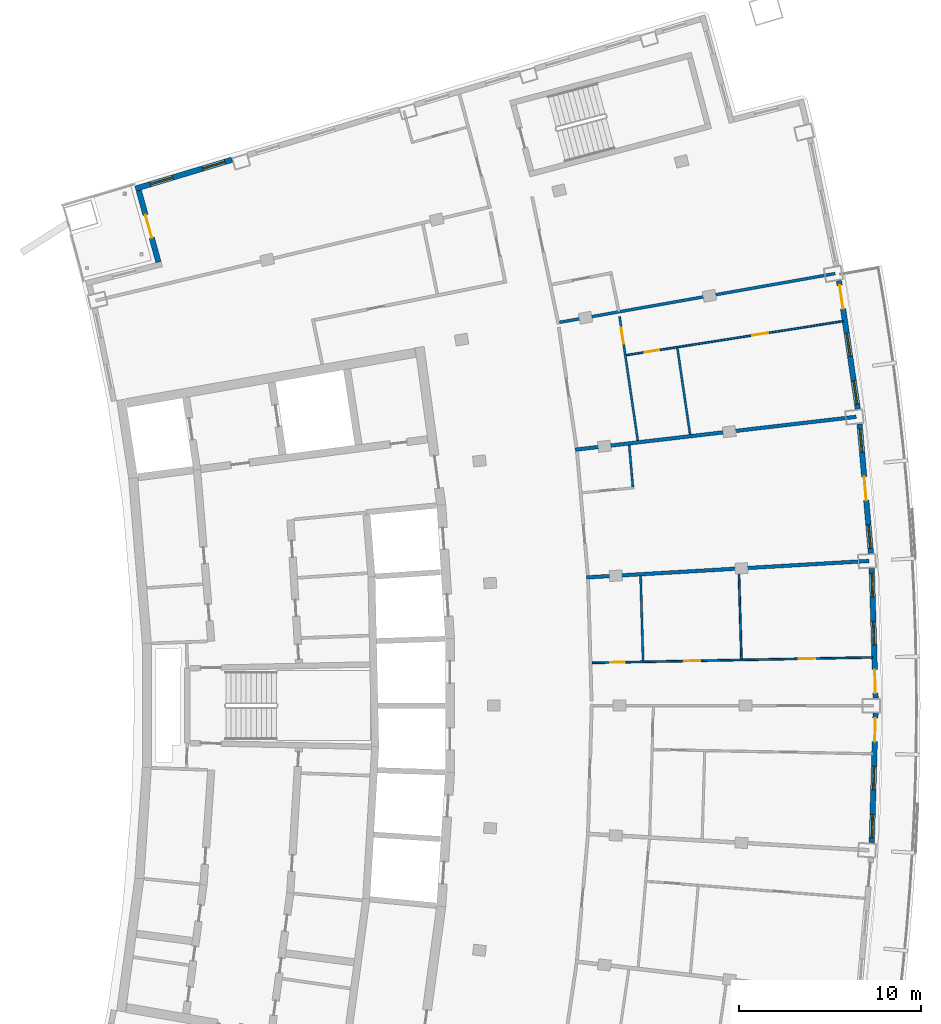
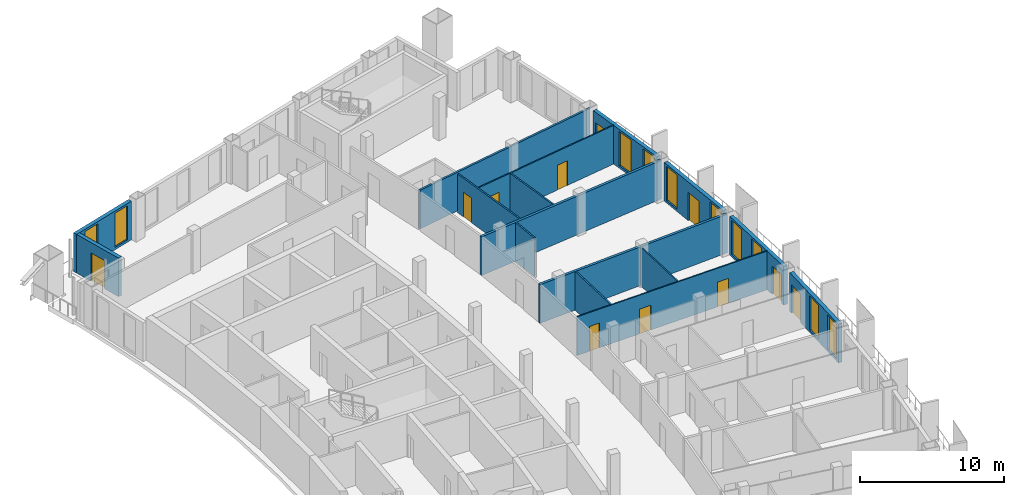
# One storey, part 12 of 17: 16 walls, 11 doors, 10 windows, 21 openings.
"""IFC4 building model written with IfcOpenShell, lengths in metres."""

from ifc_helpers import new_model, si_unit, direction, frame, frame_2d, origin, place, context, subcontext, project, spatial, rectangle, extrude, material, layer, layer_set, type_object, element, fill, save


model = new_model("IFC4")

# Units and contexts
model_context = context("Model", 3, precision=1e-05, world=origin(), true_north=direction((0.0, 1.0)))
body_context = subcontext(model_context, "Body", "Model", "MODEL_VIEW")
ifc_project = project(units=[si_unit("LENGTHUNIT", "METRE"), si_unit("AREAUNIT", "SQUARE_METRE"), si_unit("VOLUMEUNIT", "CUBIC_METRE"), si_unit("PLANEANGLEUNIT", "RADIAN"), si_unit("MASSUNIT", "GRAM", prefix="KILO")], contexts=[model_context])

# Site, building, storey
site_placement = place(None, origin())
site = spatial("IfcSite", under=ifc_project, at=site_placement, CompositionType="ELEMENT")
building_placement = place(site_placement, origin())
building = spatial("IfcBuilding", under=site, at=building_placement, Name="Alderwake Tower", CompositionType="ELEMENT")
storey_placement = place(building_placement, frame((0.0, 0.0, 260.0)))
storey = spatial("IfcBuildingStorey", under=building, at=storey_placement, Name="L64", CompositionType="ELEMENT", Elevation=260.0)

# Wall
ifc_material_1 = material(Name="Gypsum board on metal studs, rated")
ifc_layer_1 = layer(ifc_material_1, 0.159912109375)
ifc_layer_set_1 = layer_set([ifc_layer_1], Name="Corridor wall 160")
wall_type_1 = type_object("IfcWallType", Name="Corridor wall 160", PredefinedType="PARTITIONING", material=ifc_layer_set_1)
wall_1_placement = place(storey_placement, frame((54.612060546875, 84.801025390625, 0.0), z_axis=(0.0, 0.0, 1.0), x_axis=(-0.984713831022, -0.174179995963, 0.0)))
element("IfcWall", 1, at=wall_1_placement, inside=storey, type_object=wall_type_1, Name="WL/L64/W27", PredefinedType="PARTITIONING", context=body_context, shape_type="SweptSolid", body=[
    extrude(rectangle(XDim=15.421142578125, YDim=0.159912109375, at=frame_2d((7.71044921875, 0.0))), origin(), (0.0, 0.0, 1.0), 3.280029296875),
])

# Wall, openings, door, windows
ifc_material_2 = material(Name="Precast concrete C50/60 spandrel panel", Category="concrete")
ifc_layer_2 = layer(ifc_material_2, 0.300048828125)
ifc_layer_set_2 = layer_set([ifc_layer_2], Name="External wall EW1 Precast concrete C50/60 spandrel")
wall_type_2 = type_object("IfcWallType", Name="External wall EW1 Precast concrete C50/60 spandrel", PredefinedType="SOLIDWALL", material=ifc_layer_set_2)
wall_2_placement = place(storey_placement, frame((56.62939453125, 53.443115234375, 0.0), z_axis=(0.0, 0.0, 1.0), x_axis=(0.029172920449, 0.99957437978, 0.0)))
wall_2 = element("IfcWall", 2, at=wall_2_placement, inside=storey, type_object=wall_type_2, Name="External wall 15", PredefinedType="SOLIDWALL", context=body_context, shape_type="SweptSolid", body=[
    extrude(rectangle(XDim=7.138427734375, YDim=0.300048828125, at=frame_2d((3.5693359375, 0.0))), origin(), (0.0, 0.0, 1.0), 3.280029296875),
])
opening_1_placement = place(wall_2_placement, frame((0.263427734375, 0.0, 0.199951171875)))
opening_1 = element("IfcOpeningElement", 3, at=opening_1_placement, cuts=wall_2, Name="Opening W1", PredefinedType="OPENING", context=body_context, shape_type="SweptSolid", body=[
    extrude(rectangle(XDim=1.300048828125, YDim=2.89990234375, at=frame_2d((0.64990234375, 1.449951171875))), frame((0.0, 0.159912109375, 0.0), z_axis=(0.0, -1.0, 0.0), x_axis=(1.0, 0.0, 0.0)), (0.0, 0.0, 1.0), 0.320068359375),
])
opening_2_placement = place(wall_2_placement, frame((2.919189453125, 0.0, 0.199951171875)))
opening_2 = element("IfcOpeningElement", 4, at=opening_2_placement, cuts=wall_2, Name="Opening W1", PredefinedType="OPENING", context=body_context, shape_type="SweptSolid", body=[
    extrude(rectangle(XDim=1.300048828125, YDim=2.89990234375, at=frame_2d((0.64990234375, 1.449951171875))), frame((0.0, 0.159912109375, 0.0), z_axis=(0.0, -1.0, 0.0), x_axis=(1.0, 0.0, 0.0)), (0.0, 0.0, 1.0), 0.320068359375),
])
opening_3_placement = place(wall_2_placement, frame((5.574951171875, 0.0, 0.0)))
opening_3 = element("IfcOpeningElement", 5, at=opening_3_placement, cuts=wall_2, Name="Opening D05", PredefinedType="OPENING", context=body_context, shape_type="SweptSolid", body=[
    extrude(rectangle(XDim=1.300048828125, YDim=2.39990234375, at=frame_2d((0.64990234375, 1.199951171875))), frame((0.0, 0.159912109375, 0.0), z_axis=(0.0, -1.0, 0.0), x_axis=(1.0, 0.0, 0.0)), (0.0, 0.0, 1.0), 0.320068359375),
])
ifc_material_3 = material(Name="Bronze tinted glass in aluminium frame", Category="aluminium")
door_type_1 = type_object("IfcDoorType", Name="Balcony door BD sliding", OperationType="SLIDING_TO_LEFT", PredefinedType="DOOR", material=ifc_material_3)
door_1_placement = place(opening_3_placement, origin())
door_1 = element("IfcDoor", 6, at=door_1_placement, inside=storey, type_object=door_type_1, Name="Door D05", OperationType="SLIDING_TO_LEFT", OverallHeight=2.39990234375, OverallWidth=1.300048828125, PredefinedType="DOOR", context=body_context, shape_type="SweptSolid", body=[
    extrude(rectangle(XDim=1.300048828125, YDim=2.39990234375, at=frame_2d((0.64990234375, 1.199951171875))), frame((0.0, 0.02490234375, 0.0), z_axis=(0.0, -1.0, 0.0), x_axis=(1.0, 0.0, 0.0)), (0.0, 0.0, 1.0), 0.050048828125),
])
fill(opening_3, door_1)
ifc_material_4 = material(Name="Bronze tinted glass in aluminium frame", Category="aluminium")
window_type = type_object("IfcWindowType", Name="Window W1 tall fixed and vent", PartitioningType="DOUBLE_PANEL_VERTICAL", PredefinedType="WINDOW", material=ifc_material_4)
window_1_placement = place(opening_1_placement, origin())
window_1 = element("IfcWindow", 7, at=window_1_placement, inside=storey, type_object=window_type, Name="Window W1 tall fixed and vent", OverallHeight=2.89990234375, OverallWidth=1.300048828125, PartitioningType="DOUBLE_PANEL_VERTICAL", PredefinedType="WINDOW", context=body_context, shape_type="SweptSolid", body=[
    extrude(rectangle(XDim=1.300048828125, YDim=2.89990234375, at=frame_2d((0.64990234375, 1.449951171875))), frame((0.0, 0.030029296875, 0.0), z_axis=(0.0, -1.0, 0.0), x_axis=(1.0, 0.0, 0.0)), (0.0, 0.0, 1.0), 0.06005859375),
])
fill(opening_1, window_1)
window_2_placement = place(opening_2_placement, origin())
window_2 = element("IfcWindow", 8, at=window_2_placement, inside=storey, type_object=window_type, Name="Window W1 tall fixed and vent", OverallHeight=2.89990234375, OverallWidth=1.300048828125, PartitioningType="DOUBLE_PANEL_VERTICAL", PredefinedType="WINDOW", context=body_context, shape_type="SweptSolid", body=[
    extrude(rectangle(XDim=1.300048828125, YDim=2.89990234375, at=frame_2d((0.64990234375, 1.449951171875))), frame((0.0, 0.030029296875, 0.0), z_axis=(0.0, -1.0, 0.0), x_axis=(1.0, 0.0, 0.0)), (0.0, 0.0, 1.0), 0.06005859375),
])
fill(opening_2, window_2)

wall_3_placement = place(storey_placement, frame((56.837646484375, 61.42138671875, 0.0), z_axis=(0.0, 0.0, 1.0), x_axis=(-0.029172920449, 0.99957437978, 0.0)))
wall_3 = element("IfcWall", 9, at=wall_3_placement, inside=storey, type_object=wall_type_2, Name="External wall 16", PredefinedType="SOLIDWALL", context=body_context, shape_type="SweptSolid", body=[
    extrude(rectangle(XDim=7.138427734375, YDim=0.300048828125, at=frame_2d((3.5693359375, 0.0))), origin(), (0.0, 0.0, 1.0), 3.280029296875),
])
opening_4_placement = place(wall_3_placement, frame((0.263427734375, 0.0, 0.0)))
opening_4 = element("IfcOpeningElement", 10, at=opening_4_placement, cuts=wall_3, Name="Opening D06", PredefinedType="OPENING", context=body_context, shape_type="SweptSolid", body=[
    extrude(rectangle(XDim=1.300048828125, YDim=2.39990234375, at=frame_2d((0.64990234375, 1.199951171875))), frame((0.0, 0.159912109375, 0.0), z_axis=(0.0, -1.0, 0.0), x_axis=(1.0, 0.0, 0.0)), (0.0, 0.0, 1.0), 0.320068359375),
])
opening_5_placement = place(wall_3_placement, frame((2.919189453125, 0.0, 0.199951171875)))
opening_5 = element("IfcOpeningElement", 11, at=opening_5_placement, cuts=wall_3, Name="Opening W1", PredefinedType="OPENING", context=body_context, shape_type="SweptSolid", body=[
    extrude(rectangle(XDim=1.300048828125, YDim=2.89990234375, at=frame_2d((0.64990234375, 1.449951171875))), frame((0.0, 0.159912109375, 0.0), z_axis=(0.0, -1.0, 0.0), x_axis=(1.0, 0.0, 0.0)), (0.0, 0.0, 1.0), 0.320068359375),
])
opening_6_placement = place(wall_3_placement, frame((5.574951171875, 0.0, 0.199951171875)))
opening_6 = element("IfcOpeningElement", 12, at=opening_6_placement, cuts=wall_3, Name="Opening W1", PredefinedType="OPENING", context=body_context, shape_type="SweptSolid", body=[
    extrude(rectangle(XDim=1.300048828125, YDim=2.89990234375, at=frame_2d((0.64990234375, 1.449951171875))), frame((0.0, 0.159912109375, 0.0), z_axis=(0.0, -1.0, 0.0), x_axis=(1.0, 0.0, 0.0)), (0.0, 0.0, 1.0), 0.320068359375),
])
door_2_placement = place(opening_4_placement, origin())
door_2 = element("IfcDoor", 13, at=door_2_placement, inside=storey, type_object=door_type_1, Name="Door D06", OperationType="SLIDING_TO_LEFT", OverallHeight=2.39990234375, OverallWidth=1.300048828125, PredefinedType="DOOR", context=body_context, shape_type="SweptSolid", body=[
    extrude(rectangle(XDim=1.300048828125, YDim=2.39990234375, at=frame_2d((0.64990234375, 1.199951171875))), frame((0.0, 0.02490234375, 0.0), z_axis=(0.0, -1.0, 0.0), x_axis=(1.0, 0.0, 0.0)), (0.0, 0.0, 1.0), 0.050048828125),
])
fill(opening_4, door_2)
window_3_placement = place(opening_5_placement, origin())
window_3 = element("IfcWindow", 14, at=window_3_placement, inside=storey, type_object=window_type, Name="Window W1 tall fixed and vent", OverallHeight=2.89990234375, OverallWidth=1.300048828125, PartitioningType="DOUBLE_PANEL_VERTICAL", PredefinedType="WINDOW", context=body_context, shape_type="SweptSolid", body=[
    extrude(rectangle(XDim=1.300048828125, YDim=2.89990234375, at=frame_2d((0.64990234375, 1.449951171875))), frame((0.0, 0.030029296875, 0.0), z_axis=(0.0, -1.0, 0.0), x_axis=(1.0, 0.0, 0.0)), (0.0, 0.0, 1.0), 0.06005859375),
])
fill(opening_5, window_3)
window_4_placement = place(opening_6_placement, origin())
window_4 = element("IfcWindow", 15, at=window_4_placement, inside=storey, type_object=window_type, Name="Window W1 tall fixed and vent", OverallHeight=2.89990234375, OverallWidth=1.300048828125, PartitioningType="DOUBLE_PANEL_VERTICAL", PredefinedType="WINDOW", context=body_context, shape_type="SweptSolid", body=[
    extrude(rectangle(XDim=1.300048828125, YDim=2.89990234375, at=frame_2d((0.64990234375, 1.449951171875))), frame((0.0, 0.030029296875, 0.0), z_axis=(0.0, -1.0, 0.0), x_axis=(1.0, 0.0, 0.0)), (0.0, 0.0, 1.0), 0.06005859375),
])
fill(opening_6, window_4)

wall_4_placement = place(storey_placement, frame((56.580322265625, 69.3984375, 0.0), z_axis=(0.0, 0.0, 1.0), x_axis=(-0.087383747715, 0.996174723949, 0.0)))
wall_4 = element("IfcWall", 16, at=wall_4_placement, inside=storey, type_object=wall_type_2, Name="External wall 17", PredefinedType="SOLIDWALL", context=body_context, shape_type="SweptSolid", body=[
    extrude(rectangle(XDim=7.138427734375, YDim=0.300048828125, at=frame_2d((3.5693359375, 0.0))), origin(), (0.0, 0.0, 1.0), 3.280029296875),
])
opening_7_placement = place(wall_4_placement, frame((0.263427734375, 0.0, 0.199951171875)))
opening_7 = element("IfcOpeningElement", 17, at=opening_7_placement, cuts=wall_4, Name="Opening W1", PredefinedType="OPENING", context=body_context, shape_type="SweptSolid", body=[
    extrude(rectangle(XDim=1.300048828125, YDim=2.89990234375, at=frame_2d((0.64990234375, 1.449951171875))), frame((0.0, 0.159912109375, 0.0), z_axis=(0.0, -1.0, 0.0), x_axis=(1.0, 0.0, 0.0)), (0.0, 0.0, 1.0), 0.320068359375),
])
opening_8_placement = place(wall_4_placement, frame((2.919189453125, 0.0, 0.0)))
opening_8 = element("IfcOpeningElement", 18, at=opening_8_placement, cuts=wall_4, Name="Opening D07", PredefinedType="OPENING", context=body_context, shape_type="SweptSolid", body=[
    extrude(rectangle(XDim=1.300048828125, YDim=2.39990234375, at=frame_2d((0.64990234375, 1.199951171875))), frame((0.0, 0.159912109375, 0.0), z_axis=(0.0, -1.0, 0.0), x_axis=(1.0, 0.0, 0.0)), (0.0, 0.0, 1.0), 0.320068359375),
])
opening_9_placement = place(wall_4_placement, frame((5.574951171875, 0.0, 0.199951171875)))
opening_9 = element("IfcOpeningElement", 19, at=opening_9_placement, cuts=wall_4, Name="Opening W1", PredefinedType="OPENING", context=body_context, shape_type="SweptSolid", body=[
    extrude(rectangle(XDim=1.300048828125, YDim=2.89990234375, at=frame_2d((0.64990234375, 1.449951171875))), frame((0.0, 0.159912109375, 0.0), z_axis=(0.0, -1.0, 0.0), x_axis=(1.0, 0.0, 0.0)), (0.0, 0.0, 1.0), 0.320068359375),
])
door_3_placement = place(opening_8_placement, origin())
door_3 = element("IfcDoor", 20, at=door_3_placement, inside=storey, type_object=door_type_1, Name="Door D07", OperationType="SLIDING_TO_LEFT", OverallHeight=2.39990234375, OverallWidth=1.300048828125, PredefinedType="DOOR", context=body_context, shape_type="SweptSolid", body=[
    extrude(rectangle(XDim=1.300048828125, YDim=2.39990234375, at=frame_2d((0.64990234375, 1.199951171875))), frame((0.0, 0.02490234375, 0.0), z_axis=(0.0, -1.0, 0.0), x_axis=(1.0, 0.0, 0.0)), (0.0, 0.0, 1.0), 0.050048828125),
])
fill(opening_8, door_3)
window_5_placement = place(opening_7_placement, origin())
window_5 = element("IfcWindow", 21, at=window_5_placement, inside=storey, type_object=window_type, Name="Window W1 tall fixed and vent", OverallHeight=2.89990234375, OverallWidth=1.300048828125, PartitioningType="DOUBLE_PANEL_VERTICAL", PredefinedType="WINDOW", context=body_context, shape_type="SweptSolid", body=[
    extrude(rectangle(XDim=1.300048828125, YDim=2.89990234375, at=frame_2d((0.64990234375, 1.449951171875))), frame((0.0, 0.030029296875, 0.0), z_axis=(0.0, -1.0, 0.0), x_axis=(1.0, 0.0, 0.0)), (0.0, 0.0, 1.0), 0.06005859375),
])
fill(opening_7, window_5)
window_6_placement = place(opening_9_placement, origin())
window_6 = element("IfcWindow", 22, at=window_6_placement, inside=storey, type_object=window_type, Name="Window W1 tall fixed and vent", OverallHeight=2.89990234375, OverallWidth=1.300048828125, PartitioningType="DOUBLE_PANEL_VERTICAL", PredefinedType="WINDOW", context=body_context, shape_type="SweptSolid", body=[
    extrude(rectangle(XDim=1.300048828125, YDim=2.89990234375, at=frame_2d((0.64990234375, 1.449951171875))), frame((0.0, 0.030029296875, 0.0), z_axis=(0.0, -1.0, 0.0), x_axis=(1.0, 0.0, 0.0)), (0.0, 0.0, 1.0), 0.06005859375),
])
fill(opening_9, window_6)

wall_5_placement = place(storey_placement, frame((55.8583984375, 77.3466796875, 0.0), z_axis=(0.0, 0.0, 1.0), x_axis=(-0.145317744338, 0.98938503788, 0.0)))
wall_5 = element("IfcWall", 23, at=wall_5_placement, inside=storey, type_object=wall_type_2, Name="External wall 18", PredefinedType="SOLIDWALL", context=body_context, shape_type="SweptSolid", body=[
    extrude(rectangle(XDim=7.138427734375, YDim=0.300048828125, at=frame_2d((3.5693359375, 0.0))), origin(), (0.0, 0.0, 1.0), 3.280029296875),
])
opening_10_placement = place(wall_5_placement, frame((0.263427734375, 0.0, 0.199951171875)))
opening_10 = element("IfcOpeningElement", 24, at=opening_10_placement, cuts=wall_5, Name="Opening W1", PredefinedType="OPENING", context=body_context, shape_type="SweptSolid", body=[
    extrude(rectangle(XDim=1.300048828125, YDim=2.89990234375, at=frame_2d((0.64990234375, 1.449951171875))), frame((0.0, 0.159912109375, 0.0), z_axis=(0.0, -1.0, 0.0), x_axis=(1.0, 0.0, 0.0)), (0.0, 0.0, 1.0), 0.320068359375),
])
opening_11_placement = place(wall_5_placement, frame((2.919189453125, 0.0, 0.199951171875)))
opening_11 = element("IfcOpeningElement", 25, at=opening_11_placement, cuts=wall_5, Name="Opening W1", PredefinedType="OPENING", context=body_context, shape_type="SweptSolid", body=[
    extrude(rectangle(XDim=1.300048828125, YDim=2.89990234375, at=frame_2d((0.64990234375, 1.449951171875))), frame((0.0, 0.159912109375, 0.0), z_axis=(0.0, -1.0, 0.0), x_axis=(1.0, 0.0, 0.0)), (0.0, 0.0, 1.0), 0.320068359375),
])
opening_12_placement = place(wall_5_placement, frame((5.574951171875, 0.0, 0.0)))
opening_12 = element("IfcOpeningElement", 26, at=opening_12_placement, cuts=wall_5, Name="Opening D08", PredefinedType="OPENING", context=body_context, shape_type="SweptSolid", body=[
    extrude(rectangle(XDim=1.300048828125, YDim=2.39990234375, at=frame_2d((0.64990234375, 1.199951171875))), frame((0.0, 0.159912109375, 0.0), z_axis=(0.0, -1.0, 0.0), x_axis=(1.0, 0.0, 0.0)), (0.0, 0.0, 1.0), 0.320068359375),
])
door_4_placement = place(opening_12_placement, origin())
door_4 = element("IfcDoor", 27, at=door_4_placement, inside=storey, type_object=door_type_1, Name="Door D08", OperationType="SLIDING_TO_LEFT", OverallHeight=2.39990234375, OverallWidth=1.300048828125, PredefinedType="DOOR", context=body_context, shape_type="SweptSolid", body=[
    extrude(rectangle(XDim=1.300048828125, YDim=2.39990234375, at=frame_2d((0.64990234375, 1.199951171875))), frame((0.0, 0.02490234375, 0.0), z_axis=(0.0, -1.0, 0.0), x_axis=(1.0, 0.0, 0.0)), (0.0, 0.0, 1.0), 0.050048828125),
])
fill(opening_12, door_4)
window_7_placement = place(opening_10_placement, origin())
window_7 = element("IfcWindow", 28, at=window_7_placement, inside=storey, type_object=window_type, Name="Window W1 tall fixed and vent", OverallHeight=2.89990234375, OverallWidth=1.300048828125, PartitioningType="DOUBLE_PANEL_VERTICAL", PredefinedType="WINDOW", context=body_context, shape_type="SweptSolid", body=[
    extrude(rectangle(XDim=1.300048828125, YDim=2.89990234375, at=frame_2d((0.64990234375, 1.449951171875))), frame((0.0, 0.030029296875, 0.0), z_axis=(0.0, -1.0, 0.0), x_axis=(1.0, 0.0, 0.0)), (0.0, 0.0, 1.0), 0.06005859375),
])
fill(opening_10, window_7)
window_8_placement = place(opening_11_placement, origin())
window_8 = element("IfcWindow", 29, at=window_8_placement, inside=storey, type_object=window_type, Name="Window W1 tall fixed and vent", OverallHeight=2.89990234375, OverallWidth=1.300048828125, PartitioningType="DOUBLE_PANEL_VERTICAL", PredefinedType="WINDOW", context=body_context, shape_type="SweptSolid", body=[
    extrude(rectangle(XDim=1.300048828125, YDim=2.89990234375, at=frame_2d((0.64990234375, 1.449951171875))), frame((0.0, 0.030029296875, 0.0), z_axis=(0.0, -1.0, 0.0), x_axis=(1.0, 0.0, 0.0)), (0.0, 0.0, 1.0), 0.06005859375),
])
fill(opening_11, window_8)

# Wall, openings, windows
ifc_material_5 = material(Name="Bronze metal cladding on lightweight framing")
ifc_layer_3 = layer(ifc_material_5, 0.300048828125)
ifc_layer_set_3 = layer_set([ifc_layer_3], Name="External wall EW2 bronze metal cladding")
wall_type_3 = type_object("IfcWallType", Name="External wall EW2 bronze metal cladding", PredefinedType="SOLIDWALL", material=ifc_layer_set_3)
wall_6_placement = place(storey_placement, frame((21.380859375, 91.072021484375, 0.0), z_axis=(0.0, 0.0, 1.0), x_axis=(-0.957769358194, -0.287537574074, 0.0)))
wall_6 = element("IfcWall", 30, at=wall_6_placement, inside=storey, type_object=wall_type_3, Name="External wall 27", PredefinedType="SOLIDWALL", context=body_context, shape_type="SweptSolid", body=[
    extrude(rectangle(XDim=5.549560546875, YDim=0.300048828125, at=frame_2d((2.77490234375, 0.0))), origin(), (0.0, 0.0, 1.0), 3.280029296875),
])
opening_13_placement = place(wall_6_placement, frame((0.3984375, 0.0, 0.199951171875)))
opening_13 = element("IfcOpeningElement", 31, at=opening_13_placement, cuts=wall_6, Name="Opening W1", PredefinedType="OPENING", context=body_context, shape_type="SweptSolid", body=[
    extrude(rectangle(XDim=1.300048828125, YDim=2.89990234375, at=frame_2d((0.64990234375, 1.449951171875))), frame((0.0, 0.159912109375, 0.0), z_axis=(0.0, -1.0, 0.0), x_axis=(1.0, 0.0, 0.0)), (0.0, 0.0, 1.0), 0.320068359375),
])
opening_14_placement = place(wall_6_placement, frame((3.399169921875, 0.0, 0.199951171875)))
opening_14 = element("IfcOpeningElement", 32, at=opening_14_placement, cuts=wall_6, Name="Opening W1", PredefinedType="OPENING", context=body_context, shape_type="SweptSolid", body=[
    extrude(rectangle(XDim=1.300048828125, YDim=2.89990234375, at=frame_2d((0.64990234375, 1.449951171875))), frame((0.0, 0.159912109375, 0.0), z_axis=(0.0, -1.0, 0.0), x_axis=(1.0, 0.0, 0.0)), (0.0, 0.0, 1.0), 0.320068359375),
])
window_9_placement = place(opening_13_placement, origin())
window_9 = element("IfcWindow", 33, at=window_9_placement, inside=storey, type_object=window_type, Name="Window W1 tall fixed and vent", OverallHeight=2.89990234375, OverallWidth=1.300048828125, PartitioningType="DOUBLE_PANEL_VERTICAL", PredefinedType="WINDOW", context=body_context, shape_type="SweptSolid", body=[
    extrude(rectangle(XDim=1.300048828125, YDim=2.89990234375, at=frame_2d((0.64990234375, 1.449951171875))), frame((0.0, 0.030029296875, 0.0), z_axis=(0.0, -1.0, 0.0), x_axis=(1.0, 0.0, 0.0)), (0.0, 0.0, 1.0), 0.06005859375),
])
fill(opening_13, window_9)
window_10_placement = place(opening_14_placement, origin())
window_10 = element("IfcWindow", 34, at=window_10_placement, inside=storey, type_object=window_type, Name="Window W1 tall fixed and vent", OverallHeight=2.89990234375, OverallWidth=1.300048828125, PartitioningType="DOUBLE_PANEL_VERTICAL", PredefinedType="WINDOW", context=body_context, shape_type="SweptSolid", body=[
    extrude(rectangle(XDim=1.300048828125, YDim=2.89990234375, at=frame_2d((0.64990234375, 1.449951171875))), frame((0.0, 0.030029296875, 0.0), z_axis=(0.0, -1.0, 0.0), x_axis=(1.0, 0.0, 0.0)), (0.0, 0.0, 1.0), 0.06005859375),
])
fill(opening_14, window_10)

# Wall, opening, door
wall_7_placement = place(storey_placement, frame((16.248779296875, 89.374755859375, 0.0), z_axis=(0.0, 0.0, 1.0), x_axis=(0.264607053468, -0.964356317579, 0.0)))
wall_7 = element("IfcWall", 35, at=wall_7_placement, inside=storey, type_object=wall_type_3, Name="External wall 28", PredefinedType="SOLIDWALL", context=body_context, shape_type="SweptSolid", body=[
    extrude(rectangle(XDim=4.090087890625, YDim=0.300048828125, at=frame_2d((2.044921875, 0.0))), origin(), (0.0, 0.0, 1.0), 3.280029296875),
])
opening_15_placement = place(wall_7_placement, frame((1.39501953125, 0.0, 0.0)))
opening_15 = element("IfcOpeningElement", 36, at=opening_15_placement, cuts=wall_7, Name="Opening D09", PredefinedType="OPENING", context=body_context, shape_type="SweptSolid", body=[
    extrude(rectangle(XDim=1.300048828125, YDim=2.39990234375, at=frame_2d((0.64990234375, 1.199951171875))), frame((0.0, 0.159912109375, 0.0), z_axis=(0.0, -1.0, 0.0), x_axis=(1.0, 0.0, 0.0)), (0.0, 0.0, 1.0), 0.320068359375),
])
door_5_placement = place(opening_15_placement, origin())
door_5 = element("IfcDoor", 37, at=door_5_placement, inside=storey, type_object=door_type_1, Name="Door D09", OperationType="SLIDING_TO_LEFT", OverallHeight=2.39990234375, OverallWidth=1.300048828125, PredefinedType="DOOR", context=body_context, shape_type="SweptSolid", body=[
    extrude(rectangle(XDim=1.300048828125, YDim=2.39990234375, at=frame_2d((0.64990234375, 1.199951171875))), frame((0.0, 0.02490234375, 0.0), z_axis=(0.0, -1.0, 0.0), x_axis=(1.0, 0.0, 0.0)), (0.0, 0.0, 1.0), 0.050048828125),
])
fill(opening_15, door_5)

# Walls
ifc_material_6 = material(Name="Dense block masonry wall", Category="masonry")
ifc_layer_4 = layer(ifc_material_6, 0.199951171875)
ifc_layer_set_4 = layer_set([ifc_layer_4], Name="Party wall 200")
wall_type_4 = type_object("IfcWallType", Name="Party wall 200", PredefinedType="SOLIDWALL", material=ifc_layer_set_4)
wall_8_placement = place(storey_placement, frame((40.297607421875, 75.0986328125, 0.0), z_axis=(0.0, 0.0, 1.0), x_axis=(0.993210273731, 0.116332936677, 0.0)))
element("IfcWall", 38, at=wall_8_placement, inside=storey, type_object=wall_type_4, Name="WL/L64/W02", PredefinedType="SOLIDWALL", context=body_context, shape_type="SweptSolid", body=[
    extrude(rectangle(XDim=15.578125, YDim=0.199951171875, at=frame_2d((7.7890625, 0.0))), origin(), (0.0, 0.0, 1.0), 3.280029296875),
])
wall_9_placement = place(storey_placement, frame((56.466064453125, 68.969970703125, 0.0), z_axis=(0.0, 0.0, 1.0), x_axis=(-0.998300806671, -0.058270913845, 0.0)))
element("IfcWall", 39, at=wall_9_placement, inside=storey, type_object=wall_type_4, Name="WL/L64/W04", PredefinedType="SOLIDWALL", context=body_context, shape_type="SweptSolid", body=[
    extrude(rectangle(XDim=15.577392578125, YDim=0.199951171875, at=frame_2d((7.78857421875, 0.0))), origin(), (0.0, 0.0, 1.0), 3.280029296875),
])

# Wall, openings, doors
ifc_material_7 = material(Name="Gypsum board on metal studs")
ifc_layer_5 = layer(ifc_material_7, 0.10009765625)
ifc_layer_set_5 = layer_set([ifc_layer_5], Name="Unit partition 100")
wall_type_5 = type_object("IfcWallType", Name="Unit partition 100", PredefinedType="PARTITIONING", material=ifc_layer_set_5)
wall_10_placement = place(storey_placement, frame((41.2099609375, 63.355712890625, 0.0), z_axis=(0.0, 0.0, 1.0), x_axis=(0.999810180872, 0.019483383286, 0.0)))
wall_10 = element("IfcWall", 40, at=wall_10_placement, inside=storey, type_object=wall_type_5, Name="WL/L64/W46", PredefinedType="PARTITIONING", context=body_context, shape_type="SweptSolid", body=[
    extrude(rectangle(XDim=15.462890625, YDim=0.10009765625, at=frame_2d((7.7314453125, 0.0))), origin(), (0.0, 0.0, 1.0), 3.280029296875),
])
opening_16_placement = place(wall_10_placement, frame((5.079833984375, 0.0, 0.0)))
opening_16 = element("IfcOpeningElement", 41, at=opening_16_placement, cuts=wall_10, Name="Opening R18-U05.5", PredefinedType="OPENING", context=body_context, shape_type="SweptSolid", body=[
    extrude(rectangle(XDim=0.89990234375, YDim=2.10009765625, at=frame_2d((0.449951171875, 1.050048828125))), frame((0.0, 0.06005859375, 0.0), z_axis=(0.0, -1.0, 0.0), x_axis=(1.0, 0.0, 0.0)), (0.0, 0.0, 1.0), 0.1201171875),
])
opening_17_placement = place(wall_10_placement, frame((1.010009765625, 0.0, 0.0)))
opening_17 = element("IfcOpeningElement", 42, at=opening_17_placement, cuts=wall_10, Name="Opening R18-U05.6", PredefinedType="OPENING", context=body_context, shape_type="SweptSolid", body=[
    extrude(rectangle(XDim=0.800048828125, YDim=2.10009765625, at=frame_2d((0.39990234375, 1.050048828125))), frame((0.0, 0.06005859375, 0.0), z_axis=(0.0, -1.0, 0.0), x_axis=(1.0, 0.0, 0.0)), (0.0, 0.0, 1.0), 0.1201171875),
])
opening_18_placement = place(wall_10_placement, frame((11.401123046875, 0.0, 0.0)))
opening_18 = element("IfcOpeningElement", 43, at=opening_18_placement, cuts=wall_10, Name="Opening R18-U05.7", PredefinedType="OPENING", context=body_context, shape_type="SweptSolid", body=[
    extrude(rectangle(XDim=0.89990234375, YDim=2.10009765625, at=frame_2d((0.449951171875, 1.050048828125))), frame((0.0, 0.06005859375, 0.0), z_axis=(0.0, -1.0, 0.0), x_axis=(1.0, 0.0, 0.0)), (0.0, 0.0, 1.0), 0.1201171875),
])
ifc_material_8 = material(Name="Painted timber leaf", Category="wood")
door_type_2 = type_object("IfcDoorType", Name="Bathroom door 800", OperationType="SINGLE_SWING_LEFT", PredefinedType="DOOR", material=ifc_material_8)
door_6_placement = place(opening_17_placement, origin())
door_6 = element("IfcDoor", 44, at=door_6_placement, inside=storey, type_object=door_type_2, Name="DR/L64/U05.6", OperationType="SINGLE_SWING_LEFT", OverallHeight=2.10009765625, OverallWidth=0.800048828125, PredefinedType="DOOR", context=body_context, shape_type="SweptSolid", body=[
    extrude(rectangle(XDim=0.800048828125, YDim=2.10009765625, at=frame_2d((0.39990234375, 1.050048828125))), frame((0.0, 0.02490234375, 0.0), z_axis=(0.0, -1.0, 0.0), x_axis=(1.0, 0.0, 0.0)), (0.0, 0.0, 1.0), 0.050048828125),
])
fill(opening_17, door_6)
ifc_material_9 = material(Name="Painted timber leaf", Category="wood")
door_type_3 = type_object("IfcDoorType", Name="Room door 900", OperationType="SINGLE_SWING_LEFT", PredefinedType="DOOR", material=ifc_material_9)
door_7_placement = place(opening_16_placement, origin())
door_7 = element("IfcDoor", 45, at=door_7_placement, inside=storey, type_object=door_type_3, Name="DR/L64/U05.5", OperationType="SINGLE_SWING_LEFT", OverallHeight=2.10009765625, OverallWidth=0.89990234375, PredefinedType="DOOR", context=body_context, shape_type="SweptSolid", body=[
    extrude(rectangle(XDim=0.89990234375, YDim=2.10009765625, at=frame_2d((0.449951171875, 1.050048828125))), frame((0.0, 0.02490234375, 0.0), z_axis=(0.0, -1.0, 0.0), x_axis=(1.0, 0.0, 0.0)), (0.0, 0.0, 1.0), 0.050048828125),
])
fill(opening_16, door_7)
door_8_placement = place(opening_18_placement, origin())
door_8 = element("IfcDoor", 46, at=door_8_placement, inside=storey, type_object=door_type_3, Name="DR/L64/U05.7", OperationType="SINGLE_SWING_LEFT", OverallHeight=2.10009765625, OverallWidth=0.89990234375, PredefinedType="DOOR", context=body_context, shape_type="SweptSolid", body=[
    extrude(rectangle(XDim=0.89990234375, YDim=2.10009765625, at=frame_2d((0.449951171875, 1.050048828125))), frame((0.0, 0.02490234375, 0.0), z_axis=(0.0, -1.0, 0.0), x_axis=(1.0, 0.0, 0.0)), (0.0, 0.0, 1.0), 0.050048828125),
])
fill(opening_18, door_8)

wall_11_placement = place(storey_placement, frame((55.047119140625, 82.178955078125, 0.0), z_axis=(0.0, 0.0, 1.0), x_axis=(-0.987932259754, -0.15488657184, 0.0)))
wall_11 = element("IfcWall", 47, at=wall_11_placement, inside=storey, type_object=wall_type_5, Name="WL/L64/W49", PredefinedType="PARTITIONING", context=body_context, shape_type="SweptSolid", body=[
    extrude(rectangle(XDim=12.08349609375, YDim=0.10009765625, at=frame_2d((6.041748046875, 0.0))), origin(), (0.0, 0.0, 1.0), 3.280029296875),
])
opening_19_placement = place(wall_11_placement, frame((10.2646484375, 0.0, 0.0)))
opening_19 = element("IfcOpeningElement", 48, at=opening_19_placement, cuts=wall_11, Name="Opening R18-U07.3", PredefinedType="OPENING", context=body_context, shape_type="SweptSolid", body=[
    extrude(rectangle(XDim=0.800048828125, YDim=2.10009765625, at=frame_2d((0.39990234375, 1.050048828125))), frame((0.0, 0.06005859375, 0.0), z_axis=(0.0, -1.0, 0.0), x_axis=(1.0, 0.0, 0.0)), (0.0, 0.0, 1.0), 0.1201171875),
])
opening_20_placement = place(wall_11_placement, frame((4.17333984375, 0.0, 0.0)))
opening_20 = element("IfcOpeningElement", 49, at=opening_20_placement, cuts=wall_11, Name="Opening R18-U07.4", PredefinedType="OPENING", context=body_context, shape_type="SweptSolid", body=[
    extrude(rectangle(XDim=0.89990234375, YDim=2.10009765625, at=frame_2d((0.449951171875, 1.050048828125))), frame((0.0, 0.06005859375, 0.0), z_axis=(0.0, -1.0, 0.0), x_axis=(1.0, 0.0, 0.0)), (0.0, 0.0, 1.0), 0.1201171875),
])
door_9_placement = place(opening_19_placement, origin())
door_9 = element("IfcDoor", 50, at=door_9_placement, inside=storey, type_object=door_type_2, Name="DR/L64/U07.3", OperationType="SINGLE_SWING_LEFT", OverallHeight=2.10009765625, OverallWidth=0.800048828125, PredefinedType="DOOR", context=body_context, shape_type="SweptSolid", body=[
    extrude(rectangle(XDim=0.800048828125, YDim=2.10009765625, at=frame_2d((0.39990234375, 1.050048828125))), frame((0.0, 0.02490234375, 0.0), z_axis=(0.0, -1.0, 0.0), x_axis=(1.0, 0.0, 0.0)), (0.0, 0.0, 1.0), 0.050048828125),
])
fill(opening_19, door_9)
door_10_placement = place(opening_20_placement, origin())
door_10 = element("IfcDoor", 51, at=door_10_placement, inside=storey, type_object=door_type_3, Name="DR/L64/U07.4", OperationType="SINGLE_SWING_LEFT", OverallHeight=2.10009765625, OverallWidth=0.89990234375, PredefinedType="DOOR", context=body_context, shape_type="SweptSolid", body=[
    extrude(rectangle(XDim=0.89990234375, YDim=2.10009765625, at=frame_2d((0.449951171875, 1.050048828125))), frame((0.0, 0.02490234375, 0.0), z_axis=(0.0, -1.0, 0.0), x_axis=(1.0, 0.0, 0.0)), (0.0, 0.0, 1.0), 0.050048828125),
])
fill(opening_20, door_10)

# Wall
wall_12_placement = place(storey_placement, frame((49.447509765625, 63.56591796875, 0.0), z_axis=(0.0, 0.0, 1.0), x_axis=(-0.029180270557, 0.999574165237, 0.0)))
element("IfcWall", 52, at=wall_12_placement, inside=storey, type_object=wall_type_5, Name="WL/L64/W53", PredefinedType="PARTITIONING", context=body_context, shape_type="SweptSolid", body=[
    extrude(rectangle(XDim=4.88623046875, YDim=0.10009765625, at=frame_2d((2.443115234375, 0.0))), origin(), (0.0, 0.0, 1.0), 3.280029296875),
])

# Wall, opening, door
ifc_material_10 = material(Name="Moisture resistant gypsum board on metal studs")
ifc_layer_6 = layer(ifc_material_10, 0.1201171875)
ifc_layer_set_6 = layer_set([ifc_layer_6], Name="Wet room partition 120")
wall_type_6 = type_object("IfcWallType", Name="Wet room partition 120", PredefinedType="PARTITIONING", material=ifc_layer_set_6)
wall_13_placement = place(storey_placement, frame((42.732421875, 82.44775390625, 0.0), z_axis=(0.0, 0.0, 1.0), x_axis=(0.14528876176, -0.989389294316, 0.0)))
wall_13 = element("IfcWall", 53, at=wall_13_placement, inside=storey, type_object=wall_type_6, Name="WL/L64/W35", PredefinedType="PARTITIONING", context=body_context, shape_type="SweptSolid", body=[
    extrude(rectangle(XDim=6.918212890625, YDim=0.1201171875, at=frame_2d((3.458984375, 0.0))), origin(), (0.0, 0.0, 1.0), 3.280029296875),
])
opening_21_placement = place(wall_13_placement, frame((0.63671875, 0.0, 0.0)))
opening_21 = element("IfcOpeningElement", 54, at=opening_21_placement, cuts=wall_13, Name="Opening R18-U07.2", PredefinedType="OPENING", context=body_context, shape_type="SweptSolid", body=[
    extrude(rectangle(XDim=0.89990234375, YDim=2.10009765625, at=frame_2d((0.449951171875, 1.050048828125))), frame((0.0, 0.070068359375, 0.0), z_axis=(0.0, -1.0, 0.0), x_axis=(1.0, 0.0, 0.0)), (0.0, 0.0, 1.0), 0.14013671875),
])
door_11_placement = place(opening_21_placement, origin())
door_11 = element("IfcDoor", 55, at=door_11_placement, inside=storey, type_object=door_type_3, Name="DR/L64/U07.2", OperationType="SINGLE_SWING_LEFT", OverallHeight=2.10009765625, OverallWidth=0.89990234375, PredefinedType="DOOR", context=body_context, shape_type="SweptSolid", body=[
    extrude(rectangle(XDim=0.89990234375, YDim=2.10009765625, at=frame_2d((0.449951171875, 1.050048828125))), frame((0.0, 0.02490234375, 0.0), z_axis=(0.0, -1.0, 0.0), x_axis=(1.0, 0.0, 0.0)), (0.0, 0.0, 1.0), 0.050048828125),
])
fill(opening_21, door_11)

# Walls
wall_14_placement = place(storey_placement, frame((43.46484375, 73.052734375, 0.0), z_axis=(0.0, 0.0, 1.0), x_axis=(-0.086492397993, 0.996252510707, 0.0)))
element("IfcWall", 56, at=wall_14_placement, inside=storey, type_object=wall_type_6, Name="WL/L64/W36", PredefinedType="PARTITIONING", context=body_context, shape_type="SweptSolid", body=[
    extrude(rectangle(XDim=2.30322265625, YDim=0.1201171875, at=frame_2d((1.151611328125, 0.0))), origin(), (0.0, 0.0, 1.0), 3.280029296875),
])
wall_15_placement = place(storey_placement, frame((44.029541015625, 63.4609375, 0.0), z_axis=(0.0, 0.0, 1.0), x_axis=(-0.029237951874, 0.999572479698, 0.0)))
element("IfcWall", 57, at=wall_15_placement, inside=storey, type_object=wall_type_6, Name="WL/L64/W38", PredefinedType="PARTITIONING", context=body_context, shape_type="SweptSolid", body=[
    extrude(rectangle(XDim=4.676025390625, YDim=0.1201171875, at=frame_2d((2.337890625, 0.0))), origin(), (0.0, 0.0, 1.0), 3.280029296875),
])
wall_16_placement = place(storey_placement, frame((46.617431640625, 75.93896484375, 0.0), z_axis=(0.0, 0.0, 1.0), x_axis=(-0.145238137818, 0.989396726962, 0.0)))
element("IfcWall", 58, at=wall_16_placement, inside=storey, type_object=wall_type_6, Name="WL/L64/W42", PredefinedType="PARTITIONING", context=body_context, shape_type="SweptSolid", body=[
    extrude(rectangle(XDim=4.8076171875, YDim=0.1201171875, at=frame_2d((2.40380859375, 0.0))), origin(), (0.0, 0.0, 1.0), 3.280029296875),
])

save(model, "model.ifc")
